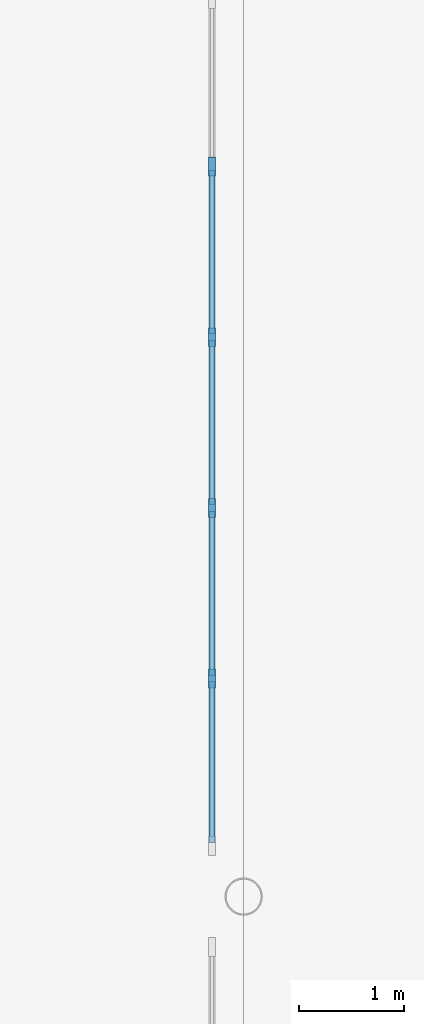
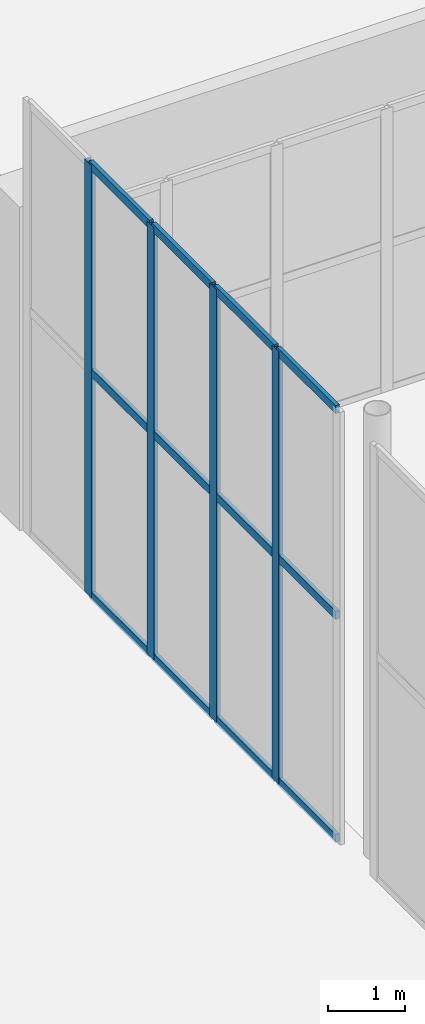
# One storey, part 47 of 103: 16 members, 1 element without a shape of its own.
"""IFC4 building model written with IfcOpenShell, lengths in metres."""

from ifc_helpers import new_model, si_unit, direction, frame, origin, origin_2d, place, context, subcontext, project, spatial, rectangle, extrude, material, layer, layer_set, material_profile, profile_set, type_object, element, aggregate, save


model = new_model("IFC4")

# Units and contexts
model_context = context("Model", 3, precision=1e-05, world=origin(), true_north=direction((0.0, 1.0)))
body_context = subcontext(model_context, "Body", "Model", "MODEL_VIEW")
ifc_project = project(units=[si_unit("LENGTHUNIT", "METRE"), si_unit("AREAUNIT", "SQUARE_METRE"), si_unit("VOLUMEUNIT", "CUBIC_METRE"), si_unit("PLANEANGLEUNIT", "RADIAN"), si_unit("MASSUNIT", "GRAM", prefix="KILO")], contexts=[model_context])

# Site, building, storey
site_placement = place(None, origin())
site = spatial("IfcSite", under=ifc_project, at=site_placement, CompositionType="ELEMENT")
building_placement = place(site_placement, origin())
building = spatial("IfcBuilding", under=site, at=building_placement, Name="Marnock Terrace Opera House", CompositionType="ELEMENT")
storey_placement = place(building_placement, origin())
storey = spatial("IfcBuildingStorey", under=building, at=storey_placement, Name="L00", CompositionType="ELEMENT", Elevation=0.0)

# Curtain wall, members
ifc_material = material(Name="Anodised architectural bronze aluminium framing", Category="aluminium")
ifc_layer = layer(ifc_material, 0.159912109375)
ifc_layer_set = layer_set([ifc_layer], Name="Anodised architectural bronze aluminium framing")
curtain_wall_type = type_object("IfcCurtainWallType", Name="CW-PASSAGE-81x68", PredefinedType="NOTDEFINED", material=ifc_layer_set)
curtain_wall_placement = place(storey_placement, origin())
curtain_wall = element("IfcCurtainWall", 1, at=curtain_wall_placement, inside=storey, type_object=curtain_wall_type, Name="L00 glazed Beaux-Arts colonnade curtain wall CW-PASSAGE-L00-07", PredefinedType="NOTDEFINED")
ifc_material_profile_1 = material_profile(ifc_material, rectangle(XDim=0.06494140625, YDim=0.179931640625, at=origin_2d()))
ifc_profile_set_1 = profile_set([ifc_material_profile_1], Name="Anodised architectural bronze aluminium framing")
member_type_1 = type_object("IfcMemberType", Name="CWM-65x180", PredefinedType="MULLION", material=ifc_profile_set_1)
member_1_placement = place(storey_placement, frame((117.699951171875, 59.070068359375, 0.0), z_axis=(0.0, 0.0, 1.0), x_axis=(-1.0, 0.0, 0.0)))
member_1 = element("IfcMember", 2, at=member_1_placement, type_object=member_type_1, Name="CW-65 mullion 2", PredefinedType="MULLION", context=body_context, shape_type="SweptSolid", body=[
    extrude(rectangle(XDim=0.06494140625, YDim=0.179931640625, at=origin_2d()), origin(), (0.0, 0.0, 1.0), 6.85009765625),
])
member_2_placement = place(storey_placement, frame((117.699951171875, 60.68994140625, 0.0), z_axis=(0.0, 0.0, 1.0), x_axis=(-1.0, 0.0, 0.0)))
member_2 = element("IfcMember", 3, at=member_2_placement, type_object=member_type_1, Name="CW-65 mullion 3", PredefinedType="MULLION", context=body_context, shape_type="SweptSolid", body=[
    extrude(rectangle(XDim=0.06494140625, YDim=0.179931640625, at=origin_2d()), origin(), (0.0, 0.0, 1.0), 6.85009765625),
])
member_3_placement = place(storey_placement, frame((117.699951171875, 62.31005859375, 0.0), z_axis=(0.0, 0.0, 1.0), x_axis=(-1.0, 0.0, 0.0)))
member_3 = element("IfcMember", 4, at=member_3_placement, type_object=member_type_1, Name="CW-65 mullion 4", PredefinedType="MULLION", context=body_context, shape_type="SweptSolid", body=[
    extrude(rectangle(XDim=0.06494140625, YDim=0.179931640625, at=origin_2d()), origin(), (0.0, 0.0, 1.0), 6.85009765625),
])
member_4_placement = place(storey_placement, frame((117.699951171875, 63.929931640625, 0.0), z_axis=(0.0, 0.0, 1.0), x_axis=(-1.0, 0.0, 0.0)))
member_4 = element("IfcMember", 5, at=member_4_placement, type_object=member_type_1, Name="CW-65 mullion 5", PredefinedType="MULLION", context=body_context, shape_type="SweptSolid", body=[
    extrude(rectangle(XDim=0.06494140625, YDim=0.179931640625, at=origin_2d()), origin(), (0.0, 0.0, 1.0), 6.85009765625),
])
ifc_material_profile_2 = material_profile(ifc_material, rectangle(XDim=0.06005859375, YDim=0.1298828125, at=origin_2d()))
ifc_profile_set_2 = profile_set([ifc_material_profile_2], Name="Anodised architectural bronze aluminium framing")
member_type_2 = type_object("IfcMemberType", Name="CWT-60x130", PredefinedType="USERDEFINED", material=ifc_profile_set_2)
member_5_placement = place(storey_placement, frame((117.699951171875, 57.510009765625, 0.030029296875), z_axis=(0.0, 1.0, 0.0), x_axis=(-1.0, 0.0, 0.0)))
member_5 = element("IfcMember", 6, at=member_5_placement, type_object=member_type_2, Name="CW-65 transom 1.1", ObjectType="TRANSOM", PredefinedType="USERDEFINED", context=body_context, shape_type="SweptSolid", body=[
    extrude(rectangle(XDim=0.06005859375, YDim=0.1298828125, at=origin_2d()), origin(), (0.0, 0.0, 1.0), 1.530029296875),
])
member_6_placement = place(storey_placement, frame((117.699951171875, 57.510009765625, 3.56201171875), z_axis=(0.0, 1.0, 0.0), x_axis=(-1.0, 0.0, 0.0)))
member_6 = element("IfcMember", 7, at=member_6_placement, type_object=member_type_2, Name="CW-65 transom 1.2", ObjectType="TRANSOM", PredefinedType="USERDEFINED", context=body_context, shape_type="SweptSolid", body=[
    extrude(rectangle(XDim=0.06005859375, YDim=0.1298828125, at=origin_2d()), origin(), (0.0, 0.0, 1.0), 1.530029296875),
])
member_7_placement = place(storey_placement, frame((117.699951171875, 57.510009765625, 6.820068359375), z_axis=(0.0, 1.0, 0.0), x_axis=(-1.0, 0.0, 0.0)))
member_7 = element("IfcMember", 8, at=member_7_placement, type_object=member_type_2, Name="CW-65 transom 1.3", ObjectType="TRANSOM", PredefinedType="USERDEFINED", context=body_context, shape_type="SweptSolid", body=[
    extrude(rectangle(XDim=0.06005859375, YDim=0.1298828125, at=origin_2d()), origin(), (0.0, 0.0, 1.0), 1.530029296875),
])
member_8_placement = place(storey_placement, frame((117.699951171875, 59.10009765625, 0.030029296875), z_axis=(0.0, 1.0, 0.0), x_axis=(-1.0, 0.0, 0.0)))
member_8 = element("IfcMember", 9, at=member_8_placement, type_object=member_type_2, Name="CW-65 transom 2.1", ObjectType="TRANSOM", PredefinedType="USERDEFINED", context=body_context, shape_type="SweptSolid", body=[
    extrude(rectangle(XDim=0.06005859375, YDim=0.1298828125, at=origin_2d()), origin(), (0.0, 0.0, 1.0), 1.559814453125),
])
member_9_placement = place(storey_placement, frame((117.699951171875, 59.10009765625, 3.56201171875), z_axis=(0.0, 1.0, 0.0), x_axis=(-1.0, 0.0, 0.0)))
member_9 = element("IfcMember", 10, at=member_9_placement, type_object=member_type_2, Name="CW-65 transom 2.2", ObjectType="TRANSOM", PredefinedType="USERDEFINED", context=body_context, shape_type="SweptSolid", body=[
    extrude(rectangle(XDim=0.06005859375, YDim=0.1298828125, at=origin_2d()), origin(), (0.0, 0.0, 1.0), 1.559814453125),
])
member_10_placement = place(storey_placement, frame((117.699951171875, 59.10009765625, 6.820068359375), z_axis=(0.0, 1.0, 0.0), x_axis=(-1.0, 0.0, 0.0)))
member_10 = element("IfcMember", 11, at=member_10_placement, type_object=member_type_2, Name="CW-65 transom 2.3", ObjectType="TRANSOM", PredefinedType="USERDEFINED", context=body_context, shape_type="SweptSolid", body=[
    extrude(rectangle(XDim=0.06005859375, YDim=0.1298828125, at=origin_2d()), origin(), (0.0, 0.0, 1.0), 1.559814453125),
])
member_11_placement = place(storey_placement, frame((117.699951171875, 60.719970703125, 0.030029296875), z_axis=(0.0, 1.0, 0.0), x_axis=(-1.0, 0.0, 0.0)))
member_11 = element("IfcMember", 12, at=member_11_placement, type_object=member_type_2, Name="CW-65 transom 3.1", ObjectType="TRANSOM", PredefinedType="USERDEFINED", context=body_context, shape_type="SweptSolid", body=[
    extrude(rectangle(XDim=0.06005859375, YDim=0.1298828125, at=origin_2d()), origin(), (0.0, 0.0, 1.0), 1.56005859375),
])
member_12_placement = place(storey_placement, frame((117.699951171875, 60.719970703125, 3.56201171875), z_axis=(0.0, 1.0, 0.0), x_axis=(-1.0, 0.0, 0.0)))
member_12 = element("IfcMember", 13, at=member_12_placement, type_object=member_type_2, Name="CW-65 transom 3.2", ObjectType="TRANSOM", PredefinedType="USERDEFINED", context=body_context, shape_type="SweptSolid", body=[
    extrude(rectangle(XDim=0.06005859375, YDim=0.1298828125, at=origin_2d()), origin(), (0.0, 0.0, 1.0), 1.56005859375),
])
member_13_placement = place(storey_placement, frame((117.699951171875, 60.719970703125, 6.820068359375), z_axis=(0.0, 1.0, 0.0), x_axis=(-1.0, 0.0, 0.0)))
member_13 = element("IfcMember", 14, at=member_13_placement, type_object=member_type_2, Name="CW-65 transom 3.3", ObjectType="TRANSOM", PredefinedType="USERDEFINED", context=body_context, shape_type="SweptSolid", body=[
    extrude(rectangle(XDim=0.06005859375, YDim=0.1298828125, at=origin_2d()), origin(), (0.0, 0.0, 1.0), 1.56005859375),
])
member_14_placement = place(storey_placement, frame((117.699951171875, 62.340087890625, 0.030029296875), z_axis=(0.0, 1.0, 0.0), x_axis=(-1.0, 0.0, 0.0)))
member_14 = element("IfcMember", 15, at=member_14_placement, type_object=member_type_2, Name="CW-65 transom 4.1", ObjectType="TRANSOM", PredefinedType="USERDEFINED", context=body_context, shape_type="SweptSolid", body=[
    extrude(rectangle(XDim=0.06005859375, YDim=0.1298828125, at=origin_2d()), origin(), (0.0, 0.0, 1.0), 1.559814453125),
])
member_15_placement = place(storey_placement, frame((117.699951171875, 62.340087890625, 3.56201171875), z_axis=(0.0, 1.0, 0.0), x_axis=(-1.0, 0.0, 0.0)))
member_15 = element("IfcMember", 16, at=member_15_placement, type_object=member_type_2, Name="CW-65 transom 4.2", ObjectType="TRANSOM", PredefinedType="USERDEFINED", context=body_context, shape_type="SweptSolid", body=[
    extrude(rectangle(XDim=0.06005859375, YDim=0.1298828125, at=origin_2d()), origin(), (0.0, 0.0, 1.0), 1.559814453125),
])
member_16_placement = place(storey_placement, frame((117.699951171875, 62.340087890625, 6.820068359375), z_axis=(0.0, 1.0, 0.0), x_axis=(-1.0, 0.0, 0.0)))
member_16 = element("IfcMember", 17, at=member_16_placement, type_object=member_type_2, Name="CW-65 transom 4.3", ObjectType="TRANSOM", PredefinedType="USERDEFINED", context=body_context, shape_type="SweptSolid", body=[
    extrude(rectangle(XDim=0.06005859375, YDim=0.1298828125, at=origin_2d()), origin(), (0.0, 0.0, 1.0), 1.559814453125),
])
aggregate(curtain_wall, [member_1, member_2, member_3, member_4, member_5, member_6, member_7, member_8, member_9, member_10, member_11, member_12, member_13, member_14, member_15, member_16])

save(model, "model.ifc")
